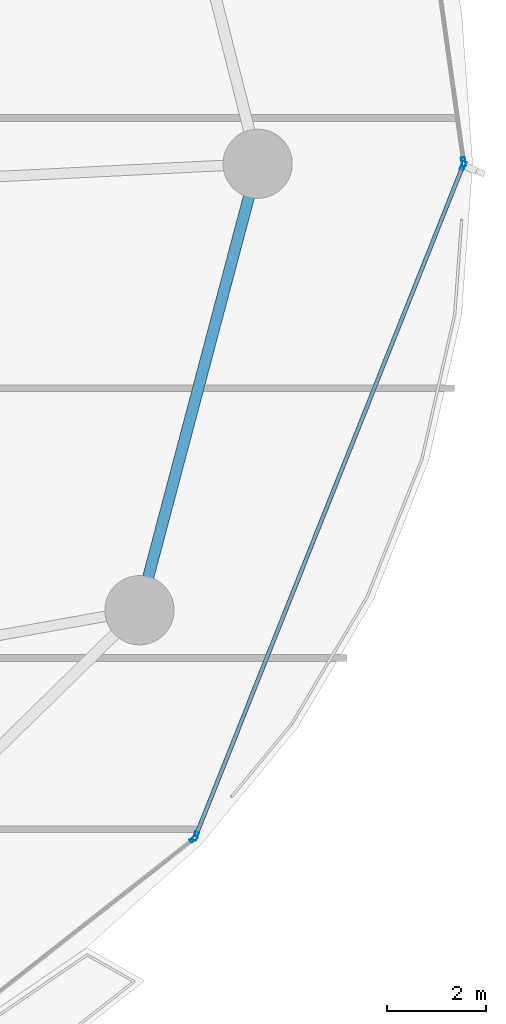
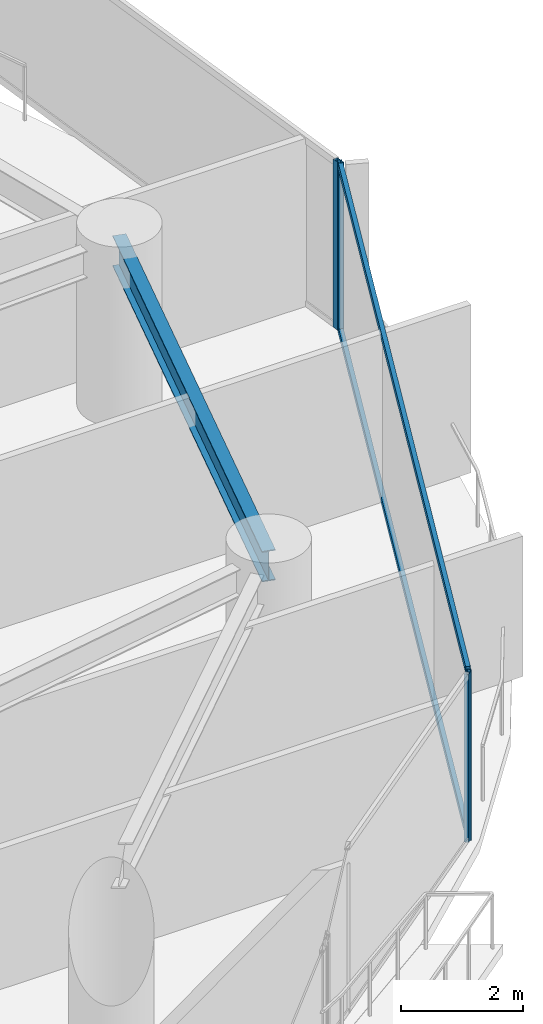
# One storey, part 22 of 31: 6 members, 1 beam, 3 elements without a shape of their own.
"""IFC4 building model written with IfcOpenShell, lengths in metres."""

from ifc_helpers import new_model, si_unit, direction, frame, origin, origin_2d, place, context, subcontext, project, spatial, hollow_rectangle, i_section, extrude, material, layer, layer_set, material_profile, profile_set, type_object, element, aggregate, save


model = new_model("IFC4")

# Units and contexts
model_context = context("Model", 3, precision=1e-05, world=origin(), true_north=direction((0.0, 1.0)))
body_context = subcontext(model_context, "Body", "Model", "MODEL_VIEW")
ifc_project = project(units=[si_unit("LENGTHUNIT", "METRE"), si_unit("AREAUNIT", "SQUARE_METRE"), si_unit("VOLUMEUNIT", "CUBIC_METRE"), si_unit("PLANEANGLEUNIT", "RADIAN"), si_unit("MASSUNIT", "GRAM", prefix="KILO")], contexts=[model_context])

# Site, building, storey
site_placement = place(None, origin())
site = spatial("IfcSite", under=ifc_project, at=site_placement, CompositionType="ELEMENT")
building_placement = place(site_placement, origin())
building = spatial("IfcBuilding", under=site, at=building_placement, Name="Kazevale Care Tower and Concert Hall", CompositionType="ELEMENT")
storey_placement = place(building_placement, frame((0.0, 0.0, 56.39990234375)))
storey = spatial("IfcBuildingStorey", under=building, at=storey_placement, Name="L14", CompositionType="ELEMENT", Elevation=56.39990234375)

# Curtain wall, members
ifc_material_1 = material(Name="Aluminium 6063-T6 and Low-E Glass", Category="aluminium")
ifc_layer_1 = layer(ifc_material_1, 0.179931640625)
ifc_layer_set_1 = layer_set([ifc_layer_1], Name="Aluminium 6063-T6 and Low-E Glass")
curtain_wall_type_1 = type_object("IfcCurtainWallType", Name="Waist & Upper Residential Curtain Wall CW-4", PredefinedType="NOTDEFINED", material=ifc_layer_set_1)
curtain_wall_1_placement = place(storey_placement, origin())
curtain_wall_1 = element("IfcCurtainWall", 1, at=curtain_wall_1_placement, inside=storey, type_object=curtain_wall_type_1, Name="cw:L14:f01", PredefinedType="NOTDEFINED")
ifc_material_2 = material(Name="Aluminium 6063-T6", Category="aluminium")
ifc_material_profile_1 = material_profile(ifc_material_2, hollow_rectangle(XDim=0.080078125, YDim=0.179931640625, WallThickness=0.0048828125, at=origin_2d()), Name="ALU80x180x5")
ifc_profile_set_1 = profile_set([ifc_material_profile_1], Name="Aluminium 6063-T6")
member_type_1 = type_object("IfcMemberType", Name="CW-4 Mullion ALU80x180x5", PredefinedType="MULLION", material=ifc_profile_set_1)
member_1_placement = place(storey_placement, frame((80.605224609375, 37.962890625, 0.0), z_axis=(0.0, 0.0, 1.0), x_axis=(0.928861412274, -0.370427424456, 0.0)))
member_1 = element("IfcMember", 2, at=member_1_placement, type_object=member_type_1, Name="CW-4 mullion 1", PredefinedType="MULLION", context=body_context, shape_type="SweptSolid", body=[
    extrude(hollow_rectangle(XDim=0.080078125, YDim=0.179931640625, WallThickness=0.0048828125, at=origin_2d()), origin(), (0.0, 0.0, 1.0), 3.360107421875),
])
member_2_placement = place(storey_placement, frame((75.19677734375, 24.401123046875, 0.0), z_axis=(0.0, 0.0, 1.0), x_axis=(0.928861412274, -0.370427424456, 0.0)))
member_2 = element("IfcMember", 3, at=member_2_placement, type_object=member_type_1, Name="CW-4 mullion 2", PredefinedType="MULLION", context=body_context, shape_type="SweptSolid", body=[
    extrude(hollow_rectangle(XDim=0.080078125, YDim=0.179931640625, WallThickness=0.0048828125, at=origin_2d()), origin(), (0.0, 0.0, 1.0), 3.360107421875),
])

# Curtain wall, member
curtain_wall_2_placement = place(storey_placement, origin())
curtain_wall_2 = element("IfcCurtainWall", 4, at=curtain_wall_2_placement, inside=storey, type_object=curtain_wall_type_1, Name="cw:L14:f18", PredefinedType="NOTDEFINED")
member_3_placement = place(storey_placement, frame((80.614501953125, 38.03955078125, 0.0), z_axis=(0.0, 0.0, 1.0), x_axis=(0.990295475282, 0.138977953775, 0.0)))
member_3 = element("IfcMember", 5, at=member_3_placement, type_object=member_type_1, Name="CW-4 mullion 2", PredefinedType="MULLION", context=body_context, shape_type="SweptSolid", body=[
    extrude(hollow_rectangle(XDim=0.080078125, YDim=0.179931640625, WallThickness=0.0048828125, at=origin_2d()), origin(), (0.0, 0.0, 1.0), 3.360107421875),
])
aggregate(curtain_wall_2, [member_3])

# Member
ifc_material_profile_2 = material_profile(ifc_material_2, hollow_rectangle(XDim=0.080078125, YDim=0.139892578125, WallThickness=0.00390625, at=origin_2d()), Name="ALU80x140x4")
ifc_profile_set_2 = profile_set([ifc_material_profile_2], Name="Aluminium 6063-T6")
member_type_2 = type_object("IfcMemberType", Name="CW-4 Transom ALU80x140x4", PredefinedType="USERDEFINED", material=ifc_profile_set_2)
member_4_placement = place(storey_placement, frame((80.59033203125, 37.92578125, 0.0400390625), z_axis=(-0.370419345682, -0.928864634026, 0.0), x_axis=(0.928864634026, -0.370419345682, 0.0)))
member_4 = element("IfcMember", 6, at=member_4_placement, type_object=member_type_2, Name="CW-4 transom 1.1", ObjectType="TRANSOM", PredefinedType="USERDEFINED", context=body_context, shape_type="SweptSolid", body=[
    extrude(hollow_rectangle(XDim=0.080078125, YDim=0.139892578125, WallThickness=0.00390625, at=origin_2d()), origin(), (0.0, 0.0, 1.0), 14.5205078125),
])

member_5_placement = place(storey_placement, frame((80.59033203125, 37.92578125, 3.320068359375), z_axis=(-0.370419345682, -0.928864634026, 0.0), x_axis=(0.928864634026, -0.370419345682, 0.0)))
member_5 = element("IfcMember", 7, at=member_5_placement, type_object=member_type_2, Name="CW-4 transom 1.2", ObjectType="TRANSOM", PredefinedType="USERDEFINED", context=body_context, shape_type="SweptSolid", body=[
    extrude(hollow_rectangle(XDim=0.080078125, YDim=0.139892578125, WallThickness=0.00390625, at=origin_2d()), origin(), (0.0, 0.0, 1.0), 14.5205078125),
])

aggregate(curtain_wall_1, [member_1, member_2, member_4, member_5])

# Curtain wall, member
ifc_layer_2 = layer(ifc_material_1, 0.179931640625)
ifc_layer_set_2 = layer_set([ifc_layer_2], Name="Aluminium 6063-T6 and Low-E Glass")
curtain_wall_type_2 = type_object("IfcCurtainWallType", Name="Sheltered Concave Balcony Curtain Wall CW-5", PredefinedType="NOTDEFINED", material=ifc_layer_set_2)
curtain_wall_3_placement = place(storey_placement, origin())
curtain_wall_3 = element("IfcCurtainWall", 8, at=curtain_wall_3_placement, inside=storey, type_object=curtain_wall_type_2, Name="cw:L14:f02", PredefinedType="NOTDEFINED")
ifc_material_profile_3 = material_profile(ifc_material_2, hollow_rectangle(XDim=0.074951171875, YDim=0.14990234375, WallThickness=0.00390625, at=origin_2d()), Name="ALU75x150x4")
ifc_profile_set_3 = profile_set([ifc_material_profile_3], Name="Aluminium 6063-T6")
member_type_3 = type_object("IfcMemberType", Name="CW-5 Mullion ALU75x150x4", PredefinedType="MULLION", material=ifc_profile_set_3)
member_6_placement = place(storey_placement, frame((75.152587890625, 24.3408203125, 0.0), z_axis=(0.0, 0.0, 1.0), x_axis=(0.617807548814, -0.78632934107, 0.0)))
member_6 = element("IfcMember", 9, at=member_6_placement, type_object=member_type_3, Name="CW-5 mullion 1", PredefinedType="MULLION", context=body_context, shape_type="SweptSolid", body=[
    extrude(hollow_rectangle(XDim=0.074951171875, YDim=0.14990234375, WallThickness=0.00390625, at=origin_2d()), origin(), (0.0, 0.0, 1.0), 3.360107421875),
])
aggregate(curtain_wall_3, [member_6])

# Beam
ifc_material_3 = material(Name="Steel ASTM A572 Gr 50", Category="steel")
ifc_material_profile_4 = material_profile(ifc_material_3, i_section(OverallWidth=0.22900390625, OverallDepth=0.612060546875, WebThickness=0.011962890625, FlangeThickness=0.01953125, at=origin_2d()), Name="W610x125")
ifc_profile_set_4 = profile_set([ifc_material_profile_4], Name="Steel ASTM A572 Gr 50")
beam_type = type_object("IfcBeamType", Name="Ring Spandrel Beam W610x125", PredefinedType="SPANDREL", material=ifc_profile_set_4)
beam_placement = place(storey_placement, frame((74.06005859375, 28.969970703125, 3.05419921875), z_axis=(0.255851611973, 0.966716066201, 0.0), x_axis=(-0.966716066201, 0.255851611973, 0.0)))
element("IfcBeam", 10, at=beam_placement, inside=storey, type_object=beam_type, Name="beam:L14:ring:16", PredefinedType="SPANDREL", context=body_context, shape_type="SweptSolid", body=[
    extrude(i_section(OverallWidth=0.22900390625, OverallDepth=0.612060546875, WebThickness=0.011962890625, FlangeThickness=0.01953125, at=origin_2d()), origin(), (0.0, 0.0, 1.0), 9.3408203125),
])

save(model, "model.ifc")
